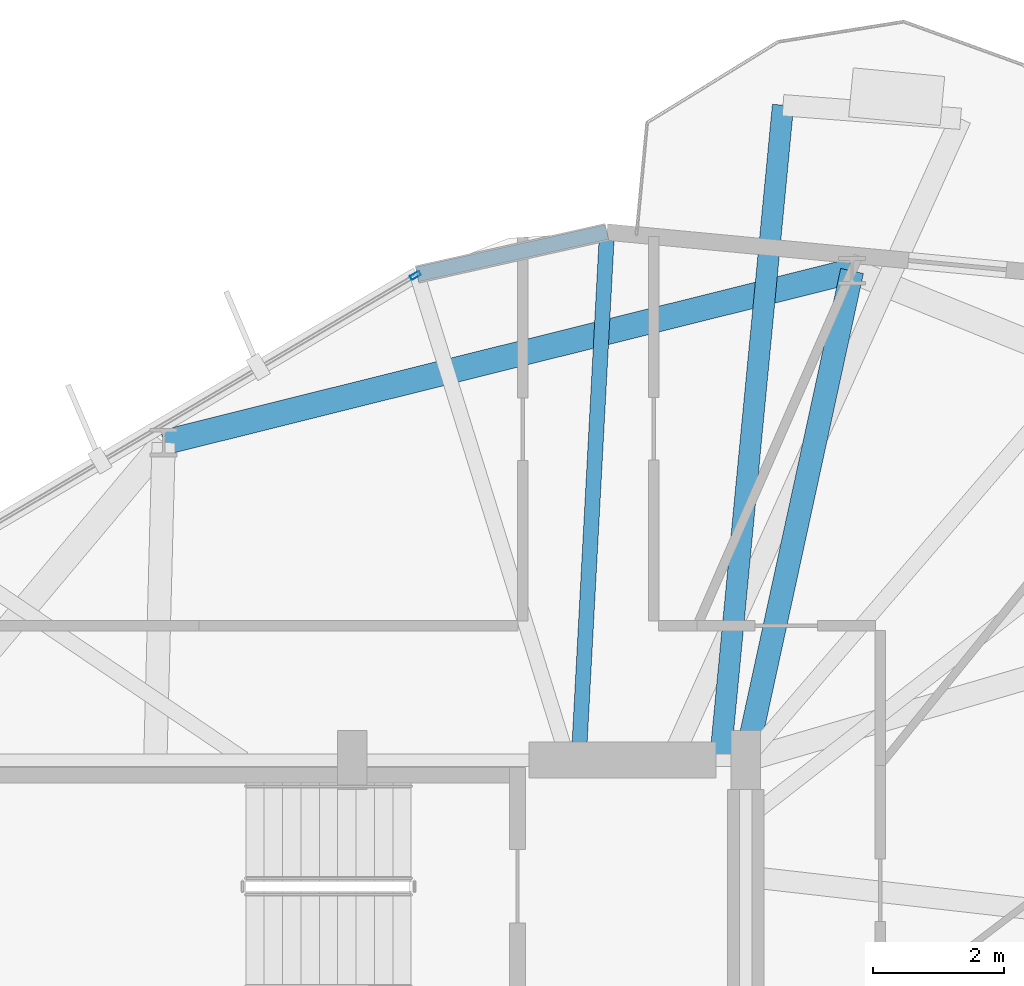
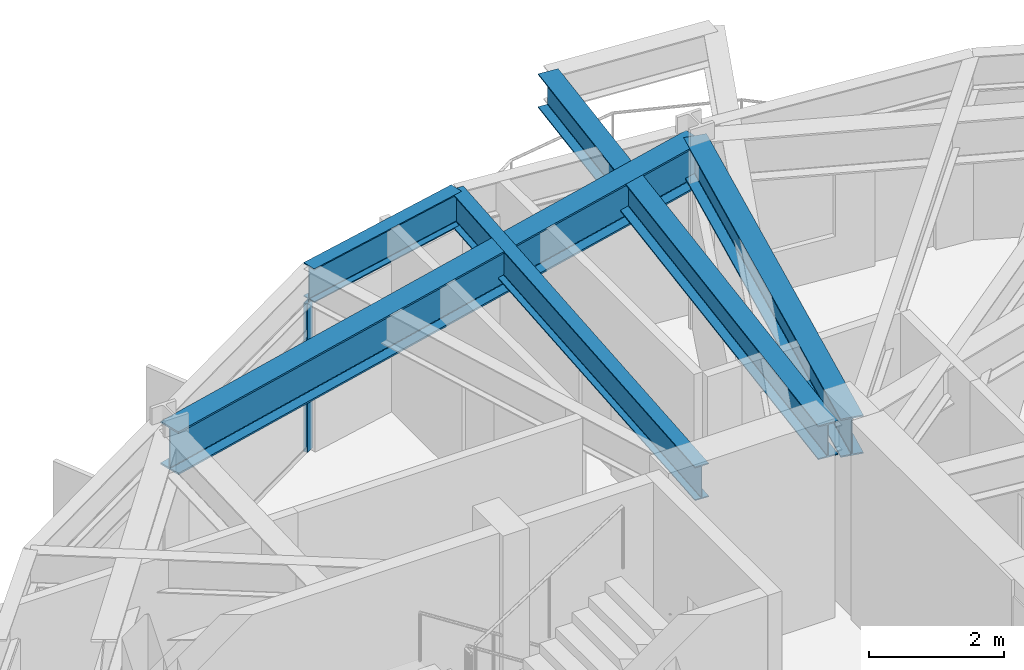
# One storey, part 12 of 21: 5 beams, 1 member, 1 element without a shape of its own.
"""IFC4 building model written with IfcOpenShell, lengths in metres."""

import ifcopenshell
import ifcopenshell.guid

model = None  # the IFC model being written
_history = None  # IfcOwnerHistory: only IFC2X3 demands one
_inside = {}  # id of a spatial element -> (the spatial element, [elements in it])
_under = {}  # id of a project, library or spatial element -> (it, [spatial elements below it])
_declared = {}  # id of a project -> (the project, [libraries it declares])
_typed = {}  # id of a type object -> (the type object, [elements of that type])
_made_of = {}  # id of a material, layer set ... -> (it, [elements and type objects made of it])


def new_model(schema):
    """Start an empty IFC model of exactly this schema.

    Asked for "IFC4X3", IfcOpenShell would pick the latest addendum, in which some entities
    have other attributes; the version numbers below select the first issue.
    IFC2X3 requires an IfcOwnerHistory on every rooted entity: one is made here for all.
    """
    global model, _history
    if schema == "IFC4X3":
        model = ifcopenshell.file(schema_version=(4, 3, 0, 0))
    else:
        model = ifcopenshell.file(schema=schema)
    _inside.clear()
    _under.clear()
    _declared.clear()
    _typed.clear()
    _made_of.clear()
    _history = None
    if model.schema == "IFC2X3":
        org = make("IfcOrganization", Name="unknown")
        user = make(
            "IfcPersonAndOrganization",
            ThePerson=make("IfcPerson", FamilyName="unknown"),
            TheOrganization=org,
        )
        app = make(
            "IfcApplication",
            ApplicationDeveloper=org,
            Version="unknown",
            ApplicationFullName="unknown",
            ApplicationIdentifier="unknown",
        )
        _history = make(
            "IfcOwnerHistory",
            OwningUser=user,
            OwningApplication=app,
            ChangeAction="ADDED",
            CreationDate=0,
        )
    return model


def make(cls, **values):
    """One entity of the class cls with the attributes given. An attribute that is None is left unset."""
    return model.create_entity(
        cls, **{name: value for name, value in values.items() if value is not None}
    )


def rooted(cls, **values):
    """An entity with a GlobalId (a new one), such as an element, a storey or a relation."""
    return make(cls, GlobalId=ifcopenshell.guid.new(), OwnerHistory=_history, **values)


def si_unit(unit_type, name, prefix=None):
    """IfcSIUnit, for example si_unit("LENGTHUNIT", "METRE", prefix="MILLI")."""
    return make("IfcSIUnit", UnitType=unit_type, Prefix=prefix, Name=name)


def assignment(units):
    """IfcUnitAssignment: the units of a project."""
    return None if units is None else make("IfcUnitAssignment", Units=units)


def point(xyz):
    """IfcCartesianPoint."""
    return None if xyz is None else make("IfcCartesianPoint", Coordinates=xyz)


def direction(xyz):
    """IfcDirection."""
    return None if xyz is None else make("IfcDirection", DirectionRatios=xyz)


def frame(location, z_axis=None, x_axis=None):
    """IfcAxis2Placement3D, a coordinate frame: its origin and axes. An axis left out is left unset."""
    return make(
        "IfcAxis2Placement3D",
        Location=point(location),
        Axis=direction(z_axis),
        RefDirection=direction(x_axis),
    )


def frame_2d(location, x_axis=None):
    """IfcAxis2Placement2D, a coordinate frame in the plane: its origin and x axis."""
    return make(
        "IfcAxis2Placement2D", Location=point(location), RefDirection=direction(x_axis)
    )


def origin():
    """The frame at (0, 0, 0) with its axes left unset."""
    return frame((0.0, 0.0, 0.0))


def origin_2d():
    """The frame at (0, 0) in the plane with its x axis left unset."""
    return frame_2d((0.0, 0.0))


def place(relative_to, where):
    """IfcLocalPlacement: puts the frame where relative to a parent placement (None: the world)."""
    return make(
        "IfcLocalPlacement", PlacementRelTo=relative_to, RelativePlacement=where
    )


def context(
    kind, dimensions, precision=None, world=None, true_north=None, identifier=None
):
    """IfcGeometricRepresentationContext, for example the 3D "Model" context."""
    return make(
        "IfcGeometricRepresentationContext",
        ContextIdentifier=identifier,
        ContextType=kind,
        CoordinateSpaceDimension=dimensions,
        Precision=precision,
        WorldCoordinateSystem=world,
        TrueNorth=true_north,
    )


def subcontext(parent, identifier, kind, view, scale=None):
    """IfcGeometricRepresentationSubContext, for example "Body" below "Model"."""
    return make(
        "IfcGeometricRepresentationSubContext",
        ContextIdentifier=identifier,
        ContextType=kind,
        ParentContext=parent,
        TargetScale=scale,
        TargetView=view,
    )


def project(units=None, contexts=None):
    """IfcProject with its units and contexts."""
    return rooted(
        "IfcProject",
        Name="project",
        RepresentationContexts=contexts,
        UnitsInContext=assignment(units),
    )


def spatial(cls, under=None, at=None, **own):
    """A site, building, storey or space (cls), placed at a placement, below another one or the project."""
    s = rooted(cls, ObjectPlacement=at, **own)
    if under is not None:
        _under.setdefault(under.id(), (under, []))[1].append(s)
    return s


def profile(cls, at=None, kind="AREA", **sizes):
    """A parametric profile (cls). Its sizes go by their IFC names, for example OverallWidth=200.0."""
    return make(cls, ProfileType=kind, Position=at, **sizes)


def hollow_rectangle(**sizes):
    """IfcRectangleHollowProfileDef."""
    return profile("IfcRectangleHollowProfileDef", **sizes)


def i_section(**sizes):
    """IfcIShapeProfileDef."""
    return profile("IfcIShapeProfileDef", **sizes)


def extrude(swept, where, along, depth):
    """IfcExtrudedAreaSolid: the profile swept, set in the frame where, extruded along a direction by depth."""
    return make(
        "IfcExtrudedAreaSolid",
        SweptArea=swept,
        Position=where,
        ExtrudedDirection=direction(along),
        Depth=depth,
    )


def shape(context_of_items, identifier, shape_type, items):
    """IfcShapeRepresentation: the items that make up one representation, for example the "Body"."""
    return make(
        "IfcShapeRepresentation",
        ContextOfItems=context_of_items,
        RepresentationIdentifier=identifier,
        RepresentationType=shape_type,
        Items=items,
    )


def material(Name=None, Category=None):
    """IfcMaterial."""
    return make("IfcMaterial", Name=Name, Category=Category)


def layer(
    of_material, thickness, ventilated=None, Name=None, Category=None, Priority=None
):
    """IfcMaterialLayer: one layer of a wall or slab, of a material (None: an air gap)."""
    return make(
        "IfcMaterialLayer",
        Material=of_material,
        LayerThickness=thickness,
        IsVentilated=ventilated,
        Name=Name,
        Category=Category,
        Priority=Priority,
    )


def layer_set(layers, Name=None):
    """IfcMaterialLayerSet."""
    return make("IfcMaterialLayerSet", MaterialLayers=layers, LayerSetName=Name)


def material_profile(
    of_material, cross_section, Name=None, Category=None, Priority=None
):
    """IfcMaterialProfile: a cross section and its material."""
    return make(
        "IfcMaterialProfile",
        Name=Name,
        Material=of_material,
        Profile=cross_section,
        Priority=Priority,
        Category=Category,
    )


def profile_set(profiles, Name=None, composite=None):
    """IfcMaterialProfileSet."""
    return make(
        "IfcMaterialProfileSet",
        Name=Name,
        MaterialProfiles=profiles,
        CompositeProfile=composite,
    )


def made_of(thing, what):
    """Note that an element or type object is made of a material, layer set ...; save() writes the relation."""
    if what is not None:
        _made_of.setdefault(what.id(), (what, []))[1].append(thing)
    return thing


def type_object(cls, material=None, **own):
    """A type object (cls), such as IfcWallType, which elements share."""
    return made_of(rooted(cls, **own), material)


def element(
    cls,
    number,
    at=None,
    inside=None,
    cuts=None,
    type_object=None,
    material=None,
    context=None,
    identifier="Body",
    shape_type=None,
    held_by="IfcProductDefinitionShape",
    body=None,
    shapes=None,
    **own,
):
    """One element of the class cls, such as IfcWall. Its Tag is "e" and its number.

    at: its placement. inside: the storey or other place that contains it. cuts: it is an
    opening in that element (IfcRelVoidsElement). A single representation is given by context,
    identifier, shape_type and body (its items); several are given by shapes. held_by: the class
    of the entity that holds the representations. save() writes the other relations.
    """
    e = rooted(cls, Tag="e%d" % number, ObjectPlacement=at, **own)
    if body is not None:
        shapes = [shape(context, identifier, shape_type, body)]
    if shapes is not None:
        e.Representation = make(held_by, Representations=shapes)
    if inside is not None:
        _inside.setdefault(inside.id(), (inside, []))[1].append(e)
    if cuts is not None:
        rooted(
            "IfcRelVoidsElement", RelatingBuildingElement=cuts, RelatedOpeningElement=e
        )
    if type_object is not None:
        _typed.setdefault(type_object.id(), (type_object, []))[1].append(e)
    return made_of(e, material)


def aggregate(whole, parts):
    """IfcRelAggregates: a whole, such as a stair, and the parts it consists of."""
    return rooted("IfcRelAggregates", RelatingObject=whole, RelatedObjects=parts)


def save(model, path):
    """Write the relations noted so far, then the file.

    IfcRelAggregates (storeys below a building ...), IfcRelContainedInSpatialStructure (elements
    in a storey), IfcRelDefinesByType, IfcRelAssociatesMaterial and IfcRelDeclares: one each for
    every whole, place, type object, material and project.
    """
    for whole, parts in _under.values():
        aggregate(whole, parts)
    for where, things in _inside.values():
        rooted(
            "IfcRelContainedInSpatialStructure",
            RelatedElements=things,
            RelatingStructure=where,
        )
    for kind, things in _typed.values():
        rooted("IfcRelDefinesByType", RelatedObjects=things, RelatingType=kind)
    for what, things in _made_of.values():
        rooted("IfcRelAssociatesMaterial", RelatedObjects=things, RelatingMaterial=what)
    for by, libraries in _declared.values():
        rooted("IfcRelDeclares", RelatingContext=by, RelatedDefinitions=libraries)
    model.write(path)


model = new_model("IFC4")

# Units and contexts
model_context = context("Model", 3, precision=1e-05, world=origin(), true_north=direction((0.0, 1.0)))
body_context = subcontext(model_context, "Body", "Model", "MODEL_VIEW")
ifc_project = project(units=[si_unit("LENGTHUNIT", "METRE"), si_unit("AREAUNIT", "SQUARE_METRE"), si_unit("VOLUMEUNIT", "CUBIC_METRE"), si_unit("PLANEANGLEUNIT", "RADIAN"), si_unit("MASSUNIT", "GRAM", prefix="KILO")], contexts=[model_context])

# Site, building, storey
site_placement = place(None, origin())
site = spatial("IfcSite", under=ifc_project, at=site_placement, CompositionType="ELEMENT")
building_placement = place(site_placement, origin())
building = spatial("IfcBuilding", under=site, at=building_placement, Name="Soratama Intermodal Tower", CompositionType="ELEMENT")
storey_placement = place(building_placement, frame((0.0, 0.0, 146.199951171875)))
storey = spatial("IfcBuildingStorey", under=building, at=storey_placement, Name="L35", CompositionType="ELEMENT", Elevation=146.199951171875)

# Beams
ifc_material_1 = material(Name="Structural steel ASTM A992 Grade 50", Category="steel")
ifc_material_profile_1 = material_profile(ifc_material_1, i_section(OverallWidth=0.324951171875, OverallDepth=0.615966796875, WebThickness=0.013916015625, FlangeThickness=0.021484375, FilletRadius=0.013916015625, at=origin_2d()), Name="W24X117")
ifc_profile_set_1 = profile_set([ifc_material_profile_1], Name="Structural steel ASTM A992 Grade 50")
beam_type_1 = type_object("IfcBeamType", Name="BM-CANT-W24X117", PredefinedType="BEAM", material=ifc_profile_set_1)
beam_1_placement = place(storey_placement, frame((44.214111328125, 35.0400390625, 2.991943359375), z_axis=(0.09558294536, 0.995421468804, 0.0), x_axis=(-0.995421468804, 0.09558294536, 0.0)))
element("IfcBeam", 1, at=beam_1_placement, inside=storey, type_object=beam_type_1, Name="BM-L35-CANT-2-2", PredefinedType="BEAM", context=body_context, shape_type="SweptSolid", body=[
    extrude(i_section(OverallWidth=0.324951171875, OverallDepth=0.615966796875, WebThickness=0.013916015625, FlangeThickness=0.021484375, FilletRadius=0.013916015625, at=origin_2d()), origin(), (0.0, 0.0, 1.0), 9.989501953125),
])
ifc_material_2 = material(Name="Structural steel ASTM A992 Grade 50", Category="steel")
ifc_material_profile_2 = material_profile(ifc_material_2, i_section(OverallWidth=0.35498046875, OverallDepth=0.695068359375, WebThickness=0.015380859375, FlangeThickness=0.02490234375, FilletRadius=0.01611328125, at=origin_2d()), Name="W27X146")
ifc_profile_set_2 = profile_set([ifc_material_profile_2], Name="Structural steel ASTM A992 Grade 50")
beam_type_2 = type_object("IfcBeamType", Name="BM-RING-W27X146", PredefinedType="BEAM", material=ifc_profile_set_2)
beam_2_placement = place(storey_placement, frame((44.60009765625, 35.0, 2.95263671875), z_axis=(0.212399095304, 0.977183004515, 0.0), x_axis=(-0.977183004515, 0.212399095304, 0.0)))
element("IfcBeam", 2, at=beam_2_placement, inside=storey, type_object=beam_type_2, Name="BM-L35-RAD-03", PredefinedType="BEAM", context=body_context, shape_type="SweptSolid", body=[
    extrude(i_section(OverallWidth=0.35498046875, OverallDepth=0.695068359375, WebThickness=0.015380859375, FlangeThickness=0.02490234375, FilletRadius=0.01611328125, at=origin_2d()), origin(), (0.0, 0.0, 1.0), 7.631103515625),
])
ifc_material_3 = material(Name="Structural steel ASTM A992 Grade 50", Category="steel")
ifc_material_profile_3 = material_profile(ifc_material_3, i_section(OverallWidth=0.382080078125, OverallDepth=0.779052734375, WebThickness=0.01806640625, FlangeThickness=0.030029296875, FilletRadius=0.01806640625, at=origin_2d()), Name="W30X191")
ifc_profile_set_3 = profile_set([ifc_material_profile_3], Name="Structural steel ASTM A992 Grade 50")
beam_type_3 = type_object("IfcBeamType", Name="BM-RING-W30X191", PredefinedType="BEAM", material=ifc_profile_set_3)
beam_3_placement = place(storey_placement, frame((46.220947265625, 42.45703125, 2.91064453125), z_axis=(-0.970310893227, -0.241861056155, 0.0), x_axis=(0.241861056155, -0.970310893227, 0.0)))
element("IfcBeam", 3, at=beam_3_placement, inside=storey, type_object=beam_type_3, Name="BM-L35-RING-03", PredefinedType="BEAM", context=body_context, shape_type="SweptSolid", body=[
    extrude(i_section(OverallWidth=0.382080078125, OverallDepth=0.779052734375, WebThickness=0.01806640625, FlangeThickness=0.030029296875, FilletRadius=0.01806640625, at=origin_2d()), origin(), (0.0, 0.0, 1.0), 10.81591796875),
])
ifc_material_4 = material(Name="Structural steel ASTM A992 Grade 50", Category="steel")
ifc_material_profile_4 = material_profile(ifc_material_4, i_section(OverallWidth=0.22900390625, OverallDepth=0.612060546875, WebThickness=0.011962890625, FlangeThickness=0.01953125, FilletRadius=0.012939453125, at=origin_2d()), Name="W24X84")
ifc_profile_set_4 = profile_set([ifc_material_profile_4], Name="Structural steel ASTM A992 Grade 50")
beam_type_4 = type_object("IfcBeamType", Name="BM-SPN-W24X84", PredefinedType="SPANDREL", material=ifc_profile_set_4)
beam_4_placement = place(storey_placement, frame((42.485107421875, 43.051025390625, 2.994140625), z_axis=(-0.975926871141, -0.218098010501, 0.0), x_axis=(0.218098010501, -0.975926871141, 0.0)))
element("IfcBeam", 4, at=beam_4_placement, inside=storey, type_object=beam_type_4, Name="BS-L35-CRN02", PredefinedType="SPANDREL", context=body_context, shape_type="SweptSolid", body=[
    extrude(i_section(OverallWidth=0.22900390625, OverallDepth=0.612060546875, WebThickness=0.011962890625, FlangeThickness=0.01953125, FilletRadius=0.012939453125, at=origin_2d()), origin(), (0.0, 0.0, 1.0), 2.966552734375),
])
ifc_material_5 = material(Name="Structural steel ASTM A992 Grade 50", Category="steel")
ifc_material_profile_5 = material_profile(ifc_material_5, i_section(OverallWidth=0.22900390625, OverallDepth=0.612060546875, WebThickness=0.011962890625, FlangeThickness=0.01953125, FilletRadius=0.012939453125, at=origin_2d()), Name="W24X84")
ifc_profile_set_5 = profile_set([ifc_material_profile_5], Name="Structural steel ASTM A992 Grade 50")
beam_type_5 = type_object("IfcBeamType", Name="BM-TIE-W24X84", PredefinedType="BEAM", material=ifc_profile_set_5)
beam_5_placement = place(storey_placement, frame((42.055908203125, 35.0400390625, 2.994140625), z_axis=(0.053499598245, 0.998567870997, 0.0), x_axis=(-0.998567870997, 0.053499598245, 0.0)))
element("IfcBeam", 5, at=beam_5_placement, inside=storey, type_object=beam_type_5, Name="BM-L35-TIE1-02", PredefinedType="BEAM", context=body_context, shape_type="SweptSolid", body=[
    extrude(i_section(OverallWidth=0.22900390625, OverallDepth=0.612060546875, WebThickness=0.011962890625, FlangeThickness=0.01953125, FilletRadius=0.012939453125, at=origin_2d()), origin(), (0.0, 0.0, 1.0), 8.0224609375),
])

# Curtain wall, member
ifc_material_6 = material(Name="Double-glazed aluminium curtain wall", Category="aluminium")
ifc_layer = layer(ifc_material_6, 0.159912109375)
ifc_layer_set = layer_set([ifc_layer], Name="Double-glazed aluminium curtain wall")
curtain_wall_type = type_object("IfcCurtainWallType", Name="CW-SYS-4", PredefinedType="NOTDEFINED", material=ifc_layer_set)
curtain_wall_placement = place(storey_placement, origin())
curtain_wall = element("IfcCurtainWall", 6, at=curtain_wall_placement, inside=storey, type_object=curtain_wall_type, Name="L35 Faceted Curtain Wall F03", PredefinedType="NOTDEFINED")
ifc_material_7 = material(Name="Anodised aluminium AA 6063-T6", Category="aluminium")
ifc_material_profile_6 = material_profile(ifc_material_7, hollow_rectangle(XDim=0.070068359375, YDim=0.159912109375, WallThickness=0.0048828125, InnerFilletRadius=0.0048828125, OuterFilletRadius=0.010009765625, at=origin_2d()), Name="CWM160X70X5")
ifc_profile_set_6 = profile_set([ifc_material_profile_6], Name="Anodised aluminium AA 6063-T6")
member_type = type_object("IfcMemberType", Name="MT-CWM-4", PredefinedType="MULLION", material=ifc_profile_set_6)
member_placement = place(storey_placement, frame((39.56396484375, 42.388427734375, 0.0), z_axis=(0.0, 0.0, 1.0), x_axis=(0.509043939125, -0.860740534679, 0.0)))
member = element("IfcMember", 7, at=member_placement, type_object=member_type, Name="CW-4 mullion 1", PredefinedType="MULLION", context=body_context, shape_type="SweptSolid", body=[
    extrude(hollow_rectangle(XDim=0.070068359375, YDim=0.159912109375, WallThickness=0.0048828125, InnerFilletRadius=0.0048828125, OuterFilletRadius=0.010009765625, at=origin_2d()), origin(), (0.0, 0.0, 1.0), 2.678955078125),
])
aggregate(curtain_wall, [member])

save(model, "model.ifc")
